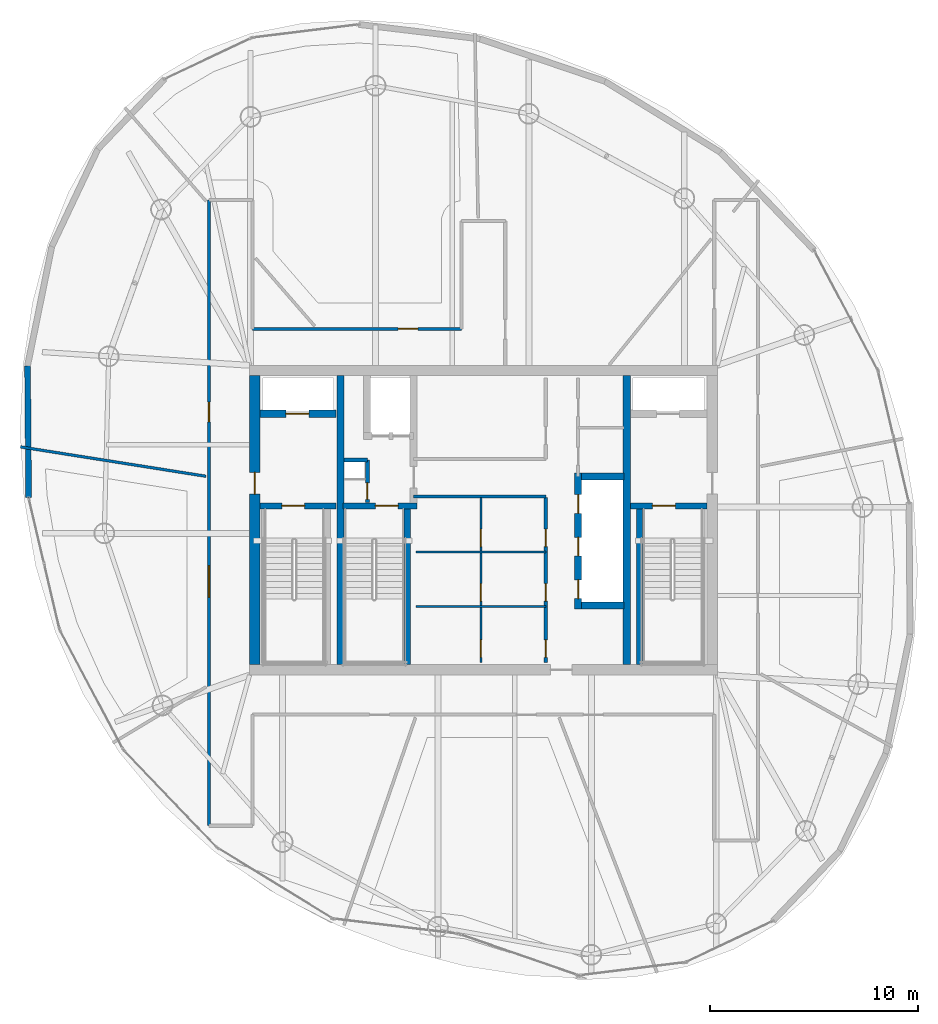
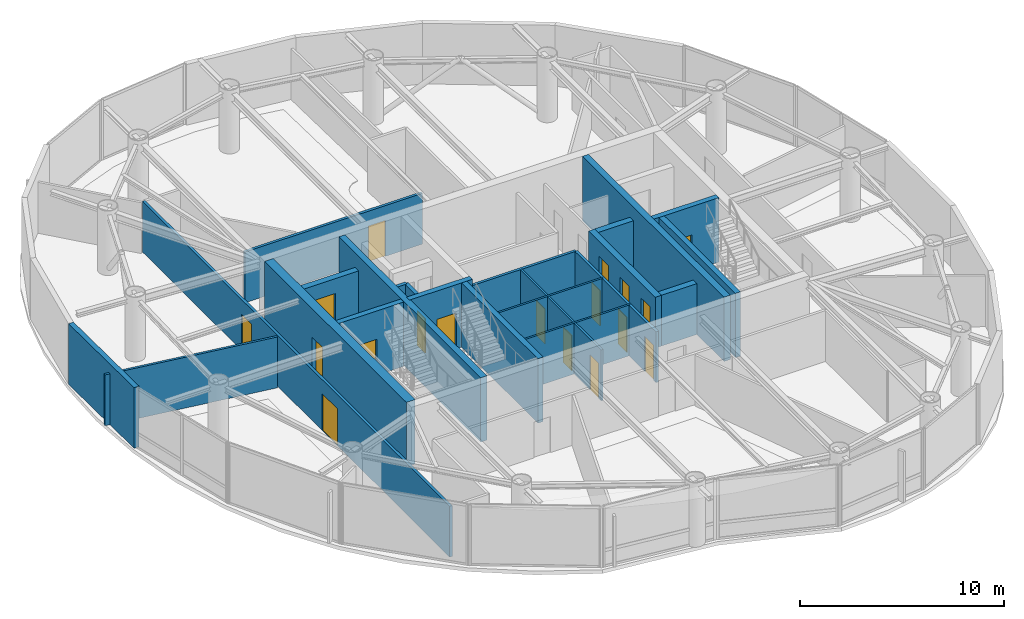
# One storey, part 16 of 21: 23 walls, 18 doors, 18 openings.
"""IFC4 building model written with IfcOpenShell, lengths in metres."""

from ifc_helpers import new_model, si_unit, direction, frame, frame_2d, origin, place, context, subcontext, project, spatial, rectangle, extrude, material, layer, layer_set, type_object, element, fill, save


model = new_model("IFC4")

# Units and contexts
model_context = context("Model", 3, precision=1e-05, world=origin(), true_north=direction((0.0, 1.0)))
body_context = subcontext(model_context, "Body", "Model", "MODEL_VIEW")
ifc_project = project(units=[si_unit("LENGTHUNIT", "METRE"), si_unit("AREAUNIT", "SQUARE_METRE"), si_unit("VOLUMEUNIT", "CUBIC_METRE"), si_unit("PLANEANGLEUNIT", "RADIAN"), si_unit("MASSUNIT", "GRAM", prefix="KILO")], contexts=[model_context])

# Site, building, storey
site_placement = place(None, origin())
site = spatial("IfcSite", under=ifc_project, at=site_placement, CompositionType="ELEMENT")
building_placement = place(site_placement, origin())
building = spatial("IfcBuilding", under=site, at=building_placement, Name="Bramvorn Convention Spire", CompositionType="ELEMENT")
storey_placement = place(building_placement, frame((0.0, 0.0, 249.75)))
storey = spatial("IfcBuildingStorey", under=building, at=storey_placement, Name="L63", CompositionType="ELEMENT", Elevation=249.75)

# Wall, opening, door
ifc_material_1 = material(Name="Concrete C50/60", Category="concrete")
ifc_layer_1 = layer(ifc_material_1, 0.5)
ifc_layer_set_1 = layer_set([ifc_layer_1], Name="Concrete C50/60 - WL-CORE-500")
wall_type_1 = type_object("IfcWallType", Name="WL-CORE-500", PredefinedType="SHEAR", material=ifc_layer_set_1)
wall_1_placement = place(storey_placement, frame((27.0, 19.050048828125, 0.0), z_axis=(0.0, 0.0, 1.0), x_axis=(0.0, 1.0, 0.0)))
wall_1 = element("IfcWall", 1, at=wall_1_placement, inside=storey, type_object=wall_type_1, Name="L63 West RC core shear wall", PredefinedType="SHEAR", context=body_context, shape_type="SweptSolid", body=[
    extrude(rectangle(XDim=13.89990234375, YDim=0.5, at=frame_2d((6.949951171875, 0.0))), origin(), (0.0, 0.0, 1.0), 3.85009765625),
])
opening_1_placement = place(wall_1_placement, frame((8.199951171875, 0.0, 0.0)))
opening_1 = element("IfcOpeningElement", 2, at=opening_1_placement, cuts=wall_1, Name="Opening DL-105", PredefinedType="OPENING", context=body_context, shape_type="SweptSolid", body=[
    extrude(rectangle(XDim=1.050048828125, YDim=2.14990234375, at=frame_2d((0.52490234375, 1.074951171875))), frame((0.0, 0.260009765625, 0.0), z_axis=(0.0, -1.0, 0.0), x_axis=(1.0, 0.0, 0.0)), (0.0, 0.0, 1.0), 0.52001953125),
])
ifc_material_2 = material(Name="Smoke-Sealed Fire Lobby Timber-Core Door", Category="wood")
door_type_1 = type_object("IfcDoorType", Name="DR-LOBBY-1050", OperationType="NOTDEFINED", PredefinedType="DOOR", material=ifc_material_2)
door_1_placement = place(opening_1_placement, origin())
door_1 = element("IfcDoor", 3, at=door_1_placement, inside=storey, type_object=door_type_1, Name="L63 West Firefighting Lobby corridor door", OperationType="SINGLE_SWING_RIGHT", OverallHeight=2.14990234375, OverallWidth=1.050048828125, PredefinedType="DOOR", context=body_context, shape_type="SweptSolid", body=[
    extrude(rectangle(XDim=1.050048828125, YDim=2.14990234375, at=frame_2d((0.52490234375, 1.074951171875))), frame((0.0, 0.02490234375, 0.0), z_axis=(0.0, -1.0, 0.0), x_axis=(1.0, 0.0, 0.0)), (0.0, 0.0, 1.0), 0.050048828125),
])
fill(opening_1, door_1)

# Walls
ifc_layer_2 = layer(ifc_material_1, 0.35009765625)
ifc_layer_set_2 = layer_set([ifc_layer_2], Name="Concrete C50/60 - WL-CORE-INT-350")
wall_type_2 = type_object("IfcWallType", Name="WL-CORE-INT-350", PredefinedType="SHEAR", material=ifc_layer_set_2)
for number, where, z_axis, x_axis, name in (
    (4, (31.1298828125, 19.050048828125, 0.0), (0.0, 0.0, 1.0), (0.0, 1.0, 0.0), "L63 West internal core shear web"),
    (5, (44.89990234375, 19.050048828125, 0.0), (0.0, 0.0, 1.0), (0.0, 1.0, 0.0), "L63 East internal core shear web"),
):
    element("IfcWall", number, at=place(storey_placement, frame(where, z_axis=z_axis, x_axis=x_axis)), inside=storey, type_object=wall_type_2, Name=name, PredefinedType="SHEAR", context=body_context, shape_type="SweptSolid", body=[
        extrude(rectangle(XDim=13.89990234375, YDim=0.35009765625, at=frame_2d((6.949951171875, 0.0))), origin(), (0.0, 0.0, 1.0), 3.85009765625),
    ])

# Wall, opening, door
wall_2_placement = place(storey_placement, frame((27.25, 31.1201171875, 0.0), z_axis=(0.0, 0.0, 1.0), x_axis=(1.0, 0.0, 0.0)))
wall_2 = element("IfcWall", 6, at=wall_2_placement, inside=storey, type_object=wall_type_2, Name="L63 FE1 shaft front wall", PredefinedType="SHEAR", context=body_context, shape_type="SweptSolid", body=[
    extrude(rectangle(XDim=3.669921875, YDim=0.35009765625, at=frame_2d((1.8349609375, 0.0))), origin(), (0.0, 0.0, 1.0), 3.0400390625),
])
opening_2_placement = place(wall_2_placement, frame((1.25, 0.0, 0.0)))
opening_2 = element("IfcOpeningElement", 7, at=opening_2_placement, cuts=wall_2, Name="Opening LD-110", PredefinedType="OPENING", context=body_context, shape_type="SweptSolid", body=[
    extrude(rectangle(XDim=1.10009765625, YDim=2.14990234375, at=frame_2d((0.550048828125, 1.074951171875))), frame((0.0, 0.18505859375, 0.0), z_axis=(0.0, -1.0, 0.0), x_axis=(1.0, 0.0, 0.0)), (0.0, 0.0, 1.0), 0.3701171875),
])
ifc_material_3 = material(Name="Firefighting & Service Lift Sliding Landing Door", Category="steel")
door_type_2 = type_object("IfcDoorType", Name="DR-LIFT-LD-1100", OperationType="NOTDEFINED", PredefinedType="DOOR", material=ifc_material_3)
door_2_placement = place(opening_2_placement, origin())
door_2 = element("IfcDoor", 8, at=door_2_placement, inside=storey, type_object=door_type_2, Name="L63 Lift FE1 Sliding Landing Door", OperationType="SLIDING_TO_LEFT", OverallHeight=2.14990234375, OverallWidth=1.10009765625, PredefinedType="DOOR", context=body_context, shape_type="SweptSolid", body=[
    extrude(rectangle(XDim=1.10009765625, YDim=2.14990234375, at=frame_2d((0.550048828125, 1.074951171875))), frame((0.0, 0.02490234375, 0.0), z_axis=(0.0, -1.0, 0.0), x_axis=(1.0, 0.0, 0.0)), (0.0, 0.0, 1.0), 0.050048828125),
])
fill(opening_2, door_2)

# Wall, openings, doors
wall_3_placement = place(storey_placement, frame((42.550048828125, 21.72998046875, 0.0), z_axis=(0.0, 0.0, 1.0), x_axis=(0.0, 1.0, 0.0)))
wall_3 = element("IfcWall", 9, at=wall_3_placement, inside=storey, type_object=wall_type_2, Name="L63 High-rise lift bank west wall", PredefinedType="SHEAR", context=body_context, shape_type="SweptSolid", body=[
    extrude(rectangle(XDim=6.5400390625, YDim=0.35009765625, at=frame_2d((3.27001953125, 0.0))), origin(), (0.0, 0.0, 1.0), 3.0400390625),
])
opening_3_placement = place(wall_3_placement, frame((0.5, 0.0, 0.0)))
opening_3 = element("IfcOpeningElement", 10, at=opening_3_placement, cuts=wall_3, Name="Opening LD-090", PredefinedType="OPENING", context=body_context, shape_type="SweptSolid", body=[
    extrude(rectangle(XDim=0.89990234375, YDim=2.14990234375, at=frame_2d((0.449951171875, 1.074951171875))), frame((0.0, 0.18505859375, 0.0), z_axis=(0.0, -1.0, 0.0), x_axis=(1.0, 0.0, 0.0)), (0.0, 0.0, 1.0), 0.3701171875),
])
opening_4_placement = place(wall_3_placement, frame((2.550048828125, 0.0, 0.0)))
opening_4 = element("IfcOpeningElement", 11, at=opening_4_placement, cuts=wall_3, Name="Opening LD-090", PredefinedType="OPENING", context=body_context, shape_type="SweptSolid", body=[
    extrude(rectangle(XDim=0.89990234375, YDim=2.14990234375, at=frame_2d((0.449951171875, 1.074951171875))), frame((0.0, 0.18505859375, 0.0), z_axis=(0.0, -1.0, 0.0), x_axis=(1.0, 0.0, 0.0)), (0.0, 0.0, 1.0), 0.3701171875),
])
opening_5_placement = place(wall_3_placement, frame((4.60009765625, 0.0, 0.0)))
opening_5 = element("IfcOpeningElement", 12, at=opening_5_placement, cuts=wall_3, Name="Opening LD-090", PredefinedType="OPENING", context=body_context, shape_type="SweptSolid", body=[
    extrude(rectangle(XDim=0.89990234375, YDim=2.14990234375, at=frame_2d((0.449951171875, 1.074951171875))), frame((0.0, 0.18505859375, 0.0), z_axis=(0.0, -1.0, 0.0), x_axis=(1.0, 0.0, 0.0)), (0.0, 0.0, 1.0), 0.3701171875),
])
ifc_material_4 = material(Name="Bi-Parting Fire-Rated Lift Landing Door", Category="steel")
door_type_3 = type_object("IfcDoorType", Name="DR-LIFT-LD-900", OperationType="NOTDEFINED", PredefinedType="DOOR", material=ifc_material_4)
door_3_placement = place(opening_3_placement, origin())
door_3 = element("IfcDoor", 13, at=door_3_placement, inside=storey, type_object=door_type_3, Name="L63 Lift PH1 Sliding Landing Door", OperationType="SLIDING_TO_LEFT", OverallHeight=2.14990234375, OverallWidth=0.89990234375, PredefinedType="DOOR", context=body_context, shape_type="SweptSolid", body=[
    extrude(rectangle(XDim=0.89990234375, YDim=2.14990234375, at=frame_2d((0.449951171875, 1.074951171875))), frame((0.0, 0.02490234375, 0.0), z_axis=(0.0, -1.0, 0.0), x_axis=(1.0, 0.0, 0.0)), (0.0, 0.0, 1.0), 0.050048828125),
])
fill(opening_3, door_3)
door_4_placement = place(opening_4_placement, origin())
door_4 = element("IfcDoor", 14, at=door_4_placement, inside=storey, type_object=door_type_3, Name="L63 Lift PH2 Sliding Landing Door", OperationType="SLIDING_TO_LEFT", OverallHeight=2.14990234375, OverallWidth=0.89990234375, PredefinedType="DOOR", context=body_context, shape_type="SweptSolid", body=[
    extrude(rectangle(XDim=0.89990234375, YDim=2.14990234375, at=frame_2d((0.449951171875, 1.074951171875))), frame((0.0, 0.02490234375, 0.0), z_axis=(0.0, -1.0, 0.0), x_axis=(1.0, 0.0, 0.0)), (0.0, 0.0, 1.0), 0.050048828125),
])
fill(opening_4, door_4)
door_5_placement = place(opening_5_placement, origin())
door_5 = element("IfcDoor", 15, at=door_5_placement, inside=storey, type_object=door_type_3, Name="L63 Lift PH3 Sliding Landing Door", OperationType="SLIDING_TO_LEFT", OverallHeight=2.14990234375, OverallWidth=0.89990234375, PredefinedType="DOOR", context=body_context, shape_type="SweptSolid", body=[
    extrude(rectangle(XDim=0.89990234375, YDim=2.14990234375, at=frame_2d((0.449951171875, 1.074951171875))), frame((0.0, 0.02490234375, 0.0), z_axis=(0.0, -1.0, 0.0), x_axis=(1.0, 0.0, 0.0)), (0.0, 0.0, 1.0), 0.050048828125),
])
fill(opening_5, door_5)

# Walls
for number, where, z_axis, x_axis, name in (
    (16, (42.719970703125, 21.89990234375, 0.0), (0.0, 0.0, 1.0), (1.0, 0.0, 0.0), "L63 High-rise lift bank south wall"),
    (17, (42.719970703125, 28.10009765625, 0.0), (0.0, 0.0, 1.0), (1.0, 0.0, 0.0), "L63 High-rise lift bank north wall"),
):
    element("IfcWall", number, at=place(storey_placement, frame(where, z_axis=z_axis, x_axis=x_axis)), inside=storey, type_object=wall_type_2, Name=name, PredefinedType="SHEAR", context=body_context, shape_type="SweptSolid", body=[
        extrude(rectangle(XDim=2.030029296875, YDim=0.35009765625, at=frame_2d((1.01513671875, 0.0))), origin(), (0.0, 0.0, 1.0), 3.0400390625),
    ])
ifc_material_5 = material(Name="Precast Concrete C40/50 with Bronze Terracotta Rainscreen", Category="masonry")
ifc_layer_3 = layer(ifc_material_5, 0.300048828125)
ifc_layer_set_3 = layer_set([ifc_layer_3], Name="Precast Concrete C40/50 with Bronze Terracotta Rainscreen - WL-EXT-BRONZE-300")
wall_type_3 = type_object("IfcWallType", Name="WL-EXT-BRONZE-300", PredefinedType="SOLIDWALL", material=ifc_layer_set_3)
wall_4_placement = place(storey_placement, frame((16.126220703125, 27.084716796875, 0.0), z_axis=(0.0, 0.0, 1.0), x_axis=(-0.008233973814, 0.999966100263, 0.0)))
element("IfcWall", 18, at=wall_4_placement, inside=storey, type_object=wall_type_3, Name="L63 expressed bronze Gothic lancet pier wall 16", PredefinedType="SOLIDWALL", context=body_context, shape_type="SweptSolid", body=[
    extrude(rectangle(XDim=6.34521484375, YDim=0.280029296875, at=frame_2d((3.172607421875, 0.0))), origin(), (0.0, 0.0, 1.0), 3.625),
])

# Wall, openings, doors
ifc_material_6 = material(Name="Lightweight En-Suite & Wet-Wall Partition", Category="gypsum")
ifc_layer_4 = layer(ifc_material_6, 0.110107421875)
ifc_layer_set_4 = layer_set([ifc_layer_4], Name="Lightweight En-Suite & Wet-Wall Partition - WL-PART-110")
wall_type_4 = type_object("IfcWallType", Name="WL-PART-110", PredefinedType="PARTITIONING", material=ifc_layer_set_4)
wall_5_placement = place(storey_placement, frame((37.8798828125, 19.14990234375, 0.0), z_axis=(0.0, 0.0, 1.0), x_axis=(0.0, 1.0, 0.0)))
wall_5 = element("IfcWall", 19, at=wall_5_placement, inside=storey, type_object=wall_type_4, Name="L63 KB center wall", PredefinedType="PARTITIONING", context=body_context, shape_type="SweptSolid", body=[
    extrude(rectangle(XDim=7.9501953125, YDim=0.110107421875, at=frame_2d((3.97509765625, 0.0))), origin(), (0.0, 0.0, 1.0), 3.0400390625),
])
opening_6_placement = place(wall_5_placement, frame((0.25, 0.0, 0.0)))
opening_6 = element("IfcOpeningElement", 20, at=opening_6_placement, cuts=wall_5, Name="Opening DC-085", PredefinedType="OPENING", context=body_context, shape_type="SweptSolid", body=[
    extrude(rectangle(XDim=0.85009765625, YDim=2.10009765625, at=frame_2d((0.425048828125, 1.050048828125))), frame((0.0, 0.06494140625, 0.0), z_axis=(0.0, -1.0, 0.0), x_axis=(1.0, 0.0, 0.0)), (0.0, 0.0, 1.0), 0.130126953125),
])
opening_7_placement = place(wall_5_placement, frame((2.952880859375, 0.0, 0.0)))
opening_7 = element("IfcOpeningElement", 21, at=opening_7_placement, cuts=wall_5, Name="Opening DC-085", PredefinedType="OPENING", context=body_context, shape_type="SweptSolid", body=[
    extrude(rectangle(XDim=0.85009765625, YDim=2.10009765625, at=frame_2d((0.425048828125, 1.050048828125))), frame((0.0, 0.06494140625, 0.0), z_axis=(0.0, -1.0, 0.0), x_axis=(1.0, 0.0, 0.0)), (0.0, 0.0, 1.0), 0.130126953125),
])
opening_8_placement = place(wall_5_placement, frame((5.576416015625, 0.0, 0.0)))
opening_8 = element("IfcOpeningElement", 22, at=opening_8_placement, cuts=wall_5, Name="Opening DC-085", PredefinedType="OPENING", context=body_context, shape_type="SweptSolid", body=[
    extrude(rectangle(XDim=0.85009765625, YDim=2.10009765625, at=frame_2d((0.425048828125, 1.050048828125))), frame((0.0, 0.06494140625, 0.0), z_axis=(0.0, -1.0, 0.0), x_axis=(1.0, 0.0, 0.0)), (0.0, 0.0, 1.0), 0.130126953125),
])
ifc_material_7 = material(Name="Fire-Rated Core Washroom & IDF Door", Category="wood")
door_type_4 = type_object("IfcDoorType", Name="DR-CORE-850", OperationType="NOTDEFINED", PredefinedType="DOOR", material=ifc_material_7)
door_6_placement = place(opening_6_placement, origin())
door_6 = element("IfcDoor", 23, at=door_6_placement, inside=storey, type_object=door_type_4, Name="L63 Core Linen Store door", OperationType="SINGLE_SWING_LEFT", OverallHeight=2.10009765625, OverallWidth=0.85009765625, PredefinedType="DOOR", context=body_context, shape_type="SweptSolid", body=[
    extrude(rectangle(XDim=0.85009765625, YDim=2.10009765625, at=frame_2d((0.425048828125, 1.050048828125))), frame((0.0, 0.02490234375, 0.0), z_axis=(0.0, -1.0, 0.0), x_axis=(1.0, 0.0, 0.0)), (0.0, 0.0, 1.0), 0.050048828125),
])
fill(opening_6, door_6)
door_7_placement = place(opening_7_placement, origin())
door_7 = element("IfcDoor", 24, at=door_7_placement, inside=storey, type_object=door_type_4, Name="L63 Core Metering Closet door", OperationType="SINGLE_SWING_LEFT", OverallHeight=2.10009765625, OverallWidth=0.85009765625, PredefinedType="DOOR", context=body_context, shape_type="SweptSolid", body=[
    extrude(rectangle(XDim=0.85009765625, YDim=2.10009765625, at=frame_2d((0.425048828125, 1.050048828125))), frame((0.0, 0.02490234375, 0.0), z_axis=(0.0, -1.0, 0.0), x_axis=(1.0, 0.0, 0.0)), (0.0, 0.0, 1.0), 0.050048828125),
])
fill(opening_7, door_7)
door_8_placement = place(opening_8_placement, origin())
door_8 = element("IfcDoor", 25, at=door_8_placement, inside=storey, type_object=door_type_4, Name="L63 Core Janitor Supply door", OperationType="SINGLE_SWING_LEFT", OverallHeight=2.10009765625, OverallWidth=0.85009765625, PredefinedType="DOOR", context=body_context, shape_type="SweptSolid", body=[
    extrude(rectangle(XDim=0.85009765625, YDim=2.10009765625, at=frame_2d((0.425048828125, 1.050048828125))), frame((0.0, 0.02490234375, 0.0), z_axis=(0.0, -1.0, 0.0), x_axis=(1.0, 0.0, 0.0)), (0.0, 0.0, 1.0), 0.050048828125),
])
fill(opening_8, door_8)

# Walls
for number, where, z_axis, x_axis, name in (
    (26, (34.75, 21.85302734375, 0.0), (0.0, 0.0, 1.0), (1.0, 0.0, 0.0), "L63 KB divider 1"),
    (27, (34.75, 24.4765625, 0.0), (0.0, 0.0, 1.0), (1.0, 0.0, 0.0), "L63 KB divider 2"),
):
    element("IfcWall", number, at=place(storey_placement, frame(where, z_axis=z_axis, x_axis=x_axis)), inside=storey, type_object=wall_type_4, Name=name, PredefinedType="PARTITIONING", context=body_context, shape_type="SweptSolid", body=[
        extrude(rectangle(XDim=6.25, YDim=0.110107421875, at=frame_2d((3.125, 0.0))), origin(), (0.0, 0.0, 1.0), 3.0400390625),
    ])
ifc_material_8 = material(Name="Metal-Stud Demountable Office Partition", Category="gypsum")
ifc_layer_5 = layer(ifc_material_8, 0.1298828125)
ifc_layer_set_5 = layer_set([ifc_layer_5], Name="Metal-Stud Demountable Office Partition - WL-PART-130")
wall_type_5 = type_object("IfcWallType", Name="WL-PART-130", PredefinedType="PARTITIONING", material=ifc_layer_set_5)
wall_6_placement = place(storey_placement, frame((24.659912109375, 28.11279296875, 0.0), z_axis=(0.0, 0.0, 1.0), x_axis=(-0.987685158581, 0.156454554167, 0.0)))
element("IfcWall", 28, at=wall_6_placement, inside=storey, type_object=wall_type_5, Name="L63 Tenant suite partition 5", PredefinedType="PARTITIONING", context=body_context, shape_type="SweptSolid", body=[
    extrude(rectangle(XDim=9.0458984375, YDim=0.1298828125, at=frame_2d((4.52294921875, 0.0))), origin(), (0.0, 0.0, 1.0), 3.0400390625),
])
ifc_material_9 = material(Name="Acoustic Metal-Stud Tenant/Corridor Partition", Category="gypsum")
ifc_layer_6 = layer(ifc_material_9, 0.14990234375)
ifc_layer_set_6 = layer_set([ifc_layer_6], Name="Acoustic Metal-Stud Tenant/Corridor Partition - WL-PART-150")
wall_type_6 = type_object("IfcWallType", Name="WL-PART-150", PredefinedType="PARTITIONING", material=ifc_layer_set_6)
wall_7_placement = place(storey_placement, frame((34.639892578125, 27.14990234375, 0.0), z_axis=(0.0, 0.0, 1.0), x_axis=(1.0, 0.0, 0.0)))
element("IfcWall", 29, at=wall_7_placement, inside=storey, type_object=wall_type_6, Name="L63 Cross-core passage south wall", PredefinedType="PARTITIONING", context=body_context, shape_type="SweptSolid", body=[
    extrude(rectangle(XDim=6.360107421875, YDim=0.14990234375, at=frame_2d((3.18017578125, 0.0))), origin(), (0.0, 0.0, 1.0), 3.0400390625),
])

# Wall, openings, doors
wall_8_placement = place(storey_placement, frame((41.0, 19.14990234375, 0.0), z_axis=(0.0, 0.0, 1.0), x_axis=(0.0, 1.0, 0.0)))
wall_8 = element("IfcWall", 30, at=wall_8_placement, inside=storey, type_object=wall_type_6, Name="L63 KB east core wall", PredefinedType="PARTITIONING", context=body_context, shape_type="SweptSolid", body=[
    extrude(rectangle(XDim=7.9501953125, YDim=0.14990234375, at=frame_2d((3.97509765625, 0.0))), origin(), (0.0, 0.0, 1.0), 3.0400390625),
])
opening_9_placement = place(wall_8_placement, frame((0.25, 0.0, 0.0)))
opening_9 = element("IfcOpeningElement", 31, at=opening_9_placement, cuts=wall_8, Name="Opening DC-085", PredefinedType="OPENING", context=body_context, shape_type="SweptSolid", body=[
    extrude(rectangle(XDim=0.85009765625, YDim=2.10009765625, at=frame_2d((0.425048828125, 1.050048828125))), frame((0.0, 0.0849609375, 0.0), z_axis=(0.0, -1.0, 0.0), x_axis=(1.0, 0.0, 0.0)), (0.0, 0.0, 1.0), 0.169921875),
])
opening_10_placement = place(wall_8_placement, frame((2.952880859375, 0.0, 0.0)))
opening_10 = element("IfcOpeningElement", 32, at=opening_10_placement, cuts=wall_8, Name="Opening DC-085", PredefinedType="OPENING", context=body_context, shape_type="SweptSolid", body=[
    extrude(rectangle(XDim=0.85009765625, YDim=2.10009765625, at=frame_2d((0.425048828125, 1.050048828125))), frame((0.0, 0.0849609375, 0.0), z_axis=(0.0, -1.0, 0.0), x_axis=(1.0, 0.0, 0.0)), (0.0, 0.0, 1.0), 0.169921875),
])
opening_11_placement = place(wall_8_placement, frame((5.576416015625, 0.0, 0.0)))
opening_11 = element("IfcOpeningElement", 33, at=opening_11_placement, cuts=wall_8, Name="Opening DC-085", PredefinedType="OPENING", context=body_context, shape_type="SweptSolid", body=[
    extrude(rectangle(XDim=0.85009765625, YDim=2.10009765625, at=frame_2d((0.425048828125, 1.050048828125))), frame((0.0, 0.0849609375, 0.0), z_axis=(0.0, -1.0, 0.0), x_axis=(1.0, 0.0, 0.0)), (0.0, 0.0, 1.0), 0.169921875),
])
door_9_placement = place(opening_9_placement, origin())
door_9 = element("IfcDoor", 34, at=door_9_placement, inside=storey, type_object=door_type_4, Name="L63 Accessible Core Restroom door", OperationType="SINGLE_SWING_LEFT", OverallHeight=2.10009765625, OverallWidth=0.85009765625, PredefinedType="DOOR", context=body_context, shape_type="SweptSolid", body=[
    extrude(rectangle(XDim=0.85009765625, YDim=2.10009765625, at=frame_2d((0.425048828125, 1.050048828125))), frame((0.0, 0.02490234375, 0.0), z_axis=(0.0, -1.0, 0.0), x_axis=(1.0, 0.0, 0.0)), (0.0, 0.0, 1.0), 0.050048828125),
])
fill(opening_9, door_9)
door_10_placement = place(opening_10_placement, origin())
door_10 = element("IfcDoor", 35, at=door_10_placement, inside=storey, type_object=door_type_4, Name="L63 Tenant Pantry & Copy Centre door", OperationType="SINGLE_SWING_LEFT", OverallHeight=2.10009765625, OverallWidth=0.85009765625, PredefinedType="DOOR", context=body_context, shape_type="SweptSolid", body=[
    extrude(rectangle(XDim=0.85009765625, YDim=2.10009765625, at=frame_2d((0.425048828125, 1.050048828125))), frame((0.0, 0.02490234375, 0.0), z_axis=(0.0, -1.0, 0.0), x_axis=(1.0, 0.0, 0.0)), (0.0, 0.0, 1.0), 0.050048828125),
])
fill(opening_10, door_10)
door_11_placement = place(opening_11_placement, origin())
door_11 = element("IfcDoor", 36, at=door_11_placement, inside=storey, type_object=door_type_4, Name="L63 Gender-Neutral Core WC door", OperationType="SINGLE_SWING_LEFT", OverallHeight=2.10009765625, OverallWidth=0.85009765625, PredefinedType="DOOR", context=body_context, shape_type="SweptSolid", body=[
    extrude(rectangle(XDim=0.85009765625, YDim=2.10009765625, at=frame_2d((0.425048828125, 1.050048828125))), frame((0.0, 0.02490234375, 0.0), z_axis=(0.0, -1.0, 0.0), x_axis=(1.0, 0.0, 0.0)), (0.0, 0.0, 1.0), 0.050048828125),
])
fill(opening_11, door_11)

# Wall, opening, door
wall_9_placement = place(storey_placement, frame((26.89990234375, 35.199951171875, 0.0), z_axis=(0.0, 0.0, 1.0), x_axis=(1.0, 0.0, 0.0)))
wall_9 = element("IfcWall", 37, at=wall_9_placement, inside=storey, type_object=wall_type_6, Name="L63 North-west spur link wall", PredefinedType="PARTITIONING", context=body_context, shape_type="SweptSolid", body=[
    extrude(rectangle(XDim=10.050048828125, YDim=0.14990234375, at=frame_2d((5.02490234375, 0.0))), origin(), (0.0, 0.0, 1.0), 3.0400390625),
])
opening_12_placement = place(wall_9_placement, frame((6.9951171875, 0.0, 0.0)))
opening_12 = element("IfcOpeningElement", 38, at=opening_12_placement, cuts=wall_9, Name="Opening DH-095", PredefinedType="OPENING", context=body_context, shape_type="SweptSolid", body=[
    extrude(rectangle(XDim=0.949951171875, YDim=2.14990234375, at=frame_2d((0.47509765625, 1.074951171875))), frame((0.0, 0.0849609375, 0.0), z_axis=(0.0, -1.0, 0.0), x_axis=(1.0, 0.0, 0.0)), (0.0, 0.0, 1.0), 0.169921875),
])
ifc_material_10 = material(Name="Solid-Core Acoustic Guestroom Entry Door", Category="wood")
door_type_5 = type_object("IfcDoorType", Name="DR-HOTEL-950", OperationType="NOTDEFINED", PredefinedType="DOOR", material=ifc_material_10)
door_12_placement = place(opening_12_placement, origin())
door_12 = element("IfcDoor", 39, at=door_12_placement, inside=storey, type_object=door_type_5, Name="L63 Conference Meeting Room 4 4 door", OperationType="SINGLE_SWING_LEFT", OverallHeight=2.14990234375, OverallWidth=0.949951171875, PredefinedType="DOOR", context=body_context, shape_type="SweptSolid", body=[
    extrude(rectangle(XDim=0.949951171875, YDim=2.14990234375, at=frame_2d((0.47509765625, 1.074951171875))), frame((0.0, 0.02490234375, 0.0), z_axis=(0.0, -1.0, 0.0), x_axis=(1.0, 0.0, 0.0)), (0.0, 0.0, 1.0), 0.050048828125),
])
fill(opening_12, door_12)

# Wall, openings, doors
wall_10_placement = place(storey_placement, frame((24.800048828125, 11.30615234375, 0.0), z_axis=(0.0, 0.0, 1.0), x_axis=(0.0, 1.0, 0.0)))
wall_10 = element("IfcWall", 40, at=wall_10_placement, inside=storey, type_object=wall_type_6, Name="L63 West N-S gallery outer wall", PredefinedType="PARTITIONING", context=body_context, shape_type="SweptSolid", body=[
    extrude(rectangle(XDim=30.09375, YDim=0.14990234375, at=frame_2d((15.046875, 0.0))), origin(), (0.0, 0.0, 1.0), 3.0400390625),
])
opening_13_placement = place(wall_10_placement, frame((19.4287109375, 0.0, 0.0)))
opening_13 = element("IfcOpeningElement", 41, at=opening_13_placement, cuts=wall_10, Name="Opening DH-095", PredefinedType="OPENING", context=body_context, shape_type="SweptSolid", body=[
    extrude(rectangle(XDim=0.949951171875, YDim=2.14990234375, at=frame_2d((0.47509765625, 1.074951171875))), frame((0.0, 0.0849609375, 0.0), z_axis=(0.0, -1.0, 0.0), x_axis=(1.0, 0.0, 0.0)), (0.0, 0.0, 1.0), 0.169921875),
])
opening_14_placement = place(wall_10_placement, frame((10.994384765625, 0.0, 0.0)))
opening_14 = element("IfcOpeningElement", 42, at=opening_14_placement, cuts=wall_10, Name="Opening DC-150", PredefinedType="OPENING", context=body_context, shape_type="SweptSolid", body=[
    extrude(rectangle(XDim=1.5, YDim=2.199951171875, at=frame_2d((0.75, 1.10009765625))), frame((0.0, 0.0849609375, 0.0), z_axis=(0.0, -1.0, 0.0), x_axis=(1.0, 0.0, 0.0)), (0.0, 0.0, 1.0), 0.169921875),
])
ifc_material_11 = material(Name="Double-Leaf Smoke-Control Corridor Door", Category="wood")
door_type_6 = type_object("IfcDoorType", Name="DR-COR-1500", OperationType="NOTDEFINED", PredefinedType="DOOR", material=ifc_material_11)
door_13_placement = place(opening_14_placement, origin())
door_13 = element("IfcDoor", 43, at=door_13_placement, inside=storey, type_object=door_type_6, Name="L63 Open-Plan Team Office 6 door", OperationType="DOUBLE_DOOR_SINGLE_SWING", OverallHeight=2.199951171875, OverallWidth=1.5, PredefinedType="DOOR", context=body_context, shape_type="SweptSolid", body=[
    extrude(rectangle(XDim=1.5, YDim=2.199951171875, at=frame_2d((0.75, 1.10009765625))), frame((0.0, 0.02490234375, 0.0), z_axis=(0.0, -1.0, 0.0), x_axis=(1.0, 0.0, 0.0)), (0.0, 0.0, 1.0), 0.050048828125),
])
fill(opening_14, door_13)
door_14_placement = place(opening_13_placement, origin())
door_14 = element("IfcDoor", 44, at=door_14_placement, inside=storey, type_object=door_type_5, Name="L63 Conference Meeting Room 5 5 door", OperationType="SINGLE_SWING_LEFT", OverallHeight=2.14990234375, OverallWidth=0.949951171875, PredefinedType="DOOR", context=body_context, shape_type="SweptSolid", body=[
    extrude(rectangle(XDim=0.949951171875, YDim=2.14990234375, at=frame_2d((0.47509765625, 1.074951171875))), frame((0.0, 0.02490234375, 0.0), z_axis=(0.0, -1.0, 0.0), x_axis=(1.0, 0.0, 0.0)), (0.0, 0.0, 1.0), 0.050048828125),
])
fill(opening_13, door_14)

# Wall, opening, door
ifc_material_12 = material(Name="Gypsum Shaftwall & Rockwool Core Partition", Category="gypsum")
ifc_layer_7 = layer(ifc_material_12, 0.199951171875)
ifc_layer_set_7 = layer_set([ifc_layer_7], Name="Gypsum Shaftwall & Rockwool Core Partition - WL-PART-200-FR")
wall_type_7 = type_object("IfcWallType", Name="WL-PART-200-FR", PredefinedType="PARTITIONING", material=ifc_layer_set_7)
wall_11_placement = place(storey_placement, frame((32.419921875, 26.860107421875, 0.0), z_axis=(0.0, 0.0, 1.0), x_axis=(0.0, 1.0, 0.0)))
wall_11 = element("IfcWall", 45, at=wall_11_placement, inside=storey, type_object=wall_type_7, Name="L63 Telecom riser east wall", PredefinedType="PARTITIONING", context=body_context, shape_type="SweptSolid", body=[
    extrude(rectangle(XDim=2.039794921875, YDim=0.199951171875, at=frame_2d((1.02001953125, 0.0))), origin(), (0.0, 0.0, 1.0), 3.0400390625),
])
opening_15_placement = place(wall_11_placement, frame((0.139892578125, 0.0, 0.0)))
opening_15 = element("IfcOpeningElement", 46, at=opening_15_placement, cuts=wall_11, Name="Opening DR-080", PredefinedType="OPENING", context=body_context, shape_type="SweptSolid", body=[
    extrude(rectangle(XDim=0.800048828125, YDim=2.050048828125, at=frame_2d((0.39990234375, 1.02490234375))), frame((0.0, 0.10986328125, 0.0), z_axis=(0.0, -1.0, 0.0), x_axis=(1.0, 0.0, 0.0)), (0.0, 0.0, 1.0), 0.219970703125),
])
ifc_material_13 = material(Name="Flush Steel Riser Access Door", Category="steel")
door_type_7 = type_object("IfcDoorType", Name="DR-RISER-800", OperationType="NOTDEFINED", PredefinedType="DOOR", material=ifc_material_13)
door_15_placement = place(opening_15_placement, origin())
door_15 = element("IfcDoor", 47, at=door_15_placement, inside=storey, type_object=door_type_7, Name="L63 Telecom riser access door", OperationType="SINGLE_SWING_RIGHT", OverallHeight=2.050048828125, OverallWidth=0.800048828125, PredefinedType="DOOR", context=body_context, shape_type="SweptSolid", body=[
    extrude(rectangle(XDim=0.800048828125, YDim=2.050048828125, at=frame_2d((0.39990234375, 1.02490234375))), frame((0.0, 0.02490234375, 0.0), z_axis=(0.0, -1.0, 0.0), x_axis=(1.0, 0.0, 0.0)), (0.0, 0.0, 1.0), 0.050048828125),
])
fill(opening_15, door_15)

# Wall
wall_12_placement = place(storey_placement, frame((31.300048828125, 28.89990234375, 0.0), z_axis=(0.0, 0.0, 1.0), x_axis=(1.0, 0.0, 0.0)))
element("IfcWall", 48, at=wall_12_placement, inside=storey, type_object=wall_type_7, Name="L63 Telecom riser north wall", PredefinedType="PARTITIONING", context=body_context, shape_type="SweptSolid", body=[
    extrude(rectangle(XDim=1.119873046875, YDim=0.199951171875, at=frame_2d((0.56005859375, 0.0))), origin(), (0.0, 0.0, 1.0), 3.0400390625),
])

# Wall, opening, door
ifc_layer_8 = layer(ifc_material_1, 0.300048828125)
ifc_layer_set_8 = layer_set([ifc_layer_8], Name="Concrete C50/60 - WL-POD-STAIR-300")
wall_type_8 = type_object("IfcWallType", Name="WL-POD-STAIR-300", PredefinedType="SHEAR", material=ifc_layer_set_8)
wall_13_placement = place(storey_placement, frame((27.25, 26.68994140625, 0.0), z_axis=(0.0, 0.0, 1.0), x_axis=(1.0, 0.0, 0.0)))
wall_13 = element("IfcWall", 49, at=wall_13_placement, inside=storey, type_object=wall_type_8, Name="L63 ST1 north fire wall", PredefinedType="SHEAR", context=body_context, shape_type="SweptSolid", body=[
    extrude(rectangle(XDim=3.669921875, YDim=0.300048828125, at=frame_2d((1.8349609375, 0.0))), origin(), (0.0, 0.0, 1.0), 3.85009765625),
])
opening_16_placement = place(wall_13_placement, frame((1.050048828125, 0.0, 0.0)))
opening_16 = element("IfcOpeningElement", 50, at=opening_16_placement, cuts=wall_13, Name="Opening DS-110", PredefinedType="OPENING", context=body_context, shape_type="SweptSolid", body=[
    extrude(rectangle(XDim=1.10009765625, YDim=2.14990234375, at=frame_2d((0.550048828125, 1.074951171875))), frame((0.0, 0.159912109375, 0.0), z_axis=(0.0, -1.0, 0.0), x_axis=(1.0, 0.0, 0.0)), (0.0, 0.0, 1.0), 0.320068359375),
])
ifc_material_14 = material(Name="Fire-Rated Hollow Steel Stairwell Door", Category="steel")
door_type_8 = type_object("IfcDoorType", Name="DR-STAIR-1100", OperationType="NOTDEFINED", PredefinedType="DOOR", material=ifc_material_14)
door_16_placement = place(opening_16_placement, origin())
door_16 = element("IfcDoor", 51, at=door_16_placement, inside=storey, type_object=door_type_8, Name="L63 Stair ST1 fire door", OperationType="SINGLE_SWING_LEFT", OverallHeight=2.14990234375, OverallWidth=1.10009765625, PredefinedType="DOOR", context=body_context, shape_type="SweptSolid", body=[
    extrude(rectangle(XDim=1.10009765625, YDim=2.14990234375, at=frame_2d((0.550048828125, 1.074951171875))), frame((0.0, 0.02490234375, 0.0), z_axis=(0.0, -1.0, 0.0), x_axis=(1.0, 0.0, 0.0)), (0.0, 0.0, 1.0), 0.050048828125),
])
fill(opening_16, door_16)

wall_14_placement = place(storey_placement, frame((45.080078125, 26.68994140625, 0.0), z_axis=(0.0, 0.0, 1.0), x_axis=(1.0, 0.0, 0.0)))
wall_14 = element("IfcWall", 52, at=wall_14_placement, inside=storey, type_object=wall_type_8, Name="L63 ST2 north fire wall", PredefinedType="SHEAR", context=body_context, shape_type="SweptSolid", body=[
    extrude(rectangle(XDim=3.669921875, YDim=0.300048828125, at=frame_2d((1.8349609375, 0.0))), origin(), (0.0, 0.0, 1.0), 3.85009765625),
])
opening_17_placement = place(wall_14_placement, frame((1.050048828125, 0.0, 0.0)))
opening_17 = element("IfcOpeningElement", 53, at=opening_17_placement, cuts=wall_14, Name="Opening DS-110", PredefinedType="OPENING", context=body_context, shape_type="SweptSolid", body=[
    extrude(rectangle(XDim=1.10009765625, YDim=2.14990234375, at=frame_2d((0.550048828125, 1.074951171875))), frame((0.0, 0.159912109375, 0.0), z_axis=(0.0, -1.0, 0.0), x_axis=(1.0, 0.0, 0.0)), (0.0, 0.0, 1.0), 0.320068359375),
])
door_17_placement = place(opening_17_placement, origin())
door_17 = element("IfcDoor", 54, at=door_17_placement, inside=storey, type_object=door_type_8, Name="L63 Stair ST2 fire door", OperationType="SINGLE_SWING_RIGHT", OverallHeight=2.14990234375, OverallWidth=1.10009765625, PredefinedType="DOOR", context=body_context, shape_type="SweptSolid", body=[
    extrude(rectangle(XDim=1.10009765625, YDim=2.14990234375, at=frame_2d((0.550048828125, 1.074951171875))), frame((0.0, 0.02490234375, 0.0), z_axis=(0.0, -1.0, 0.0), x_axis=(1.0, 0.0, 0.0)), (0.0, 0.0, 1.0), 0.050048828125),
])
fill(opening_17, door_17)

# Walls
for number, where, z_axis, x_axis, name in (
    (55, (45.510009765625, 19.050048828125, 0.0), (0.0, 0.0, 1.0), (0.0, 1.0, 0.0), "L63 ST2 west bearing wall"),
    (56, (34.340087890625, 19.050048828125, 0.0), (0.0, 0.0, 1.0), (0.0, 1.0, 0.0), "L63 ST3 east bearing wall"),
):
    element("IfcWall", number, at=place(storey_placement, frame(where, z_axis=z_axis, x_axis=x_axis)), inside=storey, type_object=wall_type_8, Name=name, PredefinedType="SHEAR", context=body_context, shape_type="SweptSolid", body=[
        extrude(rectangle(XDim=7.5, YDim=0.300048828125, at=frame_2d((3.75, 0.0))), origin(), (0.0, 0.0, 1.0), 3.85009765625),
    ])

# Wall, opening, door
wall_15_placement = place(storey_placement, frame((31.25, 26.68994140625, 0.0), z_axis=(0.0, 0.0, 1.0), x_axis=(1.0, 0.0, 0.0)))
wall_15 = element("IfcWall", 57, at=wall_15_placement, inside=storey, type_object=wall_type_8, Name="L63 ST3 north lobby wall", PredefinedType="SHEAR", context=body_context, shape_type="SweptSolid", body=[
    extrude(rectangle(XDim=3.56005859375, YDim=0.300048828125, at=frame_2d((1.780029296875, 0.0))), origin(), (0.0, 0.0, 1.0), 3.85009765625),
])
opening_18_placement = place(wall_15_placement, frame((1.550048828125, 0.0, 0.0)))
opening_18 = element("IfcOpeningElement", 58, at=opening_18_placement, cuts=wall_15, Name="Opening DS-110", PredefinedType="OPENING", context=body_context, shape_type="SweptSolid", body=[
    extrude(rectangle(XDim=1.10009765625, YDim=2.14990234375, at=frame_2d((0.550048828125, 1.074951171875))), frame((0.0, 0.159912109375, 0.0), z_axis=(0.0, -1.0, 0.0), x_axis=(1.0, 0.0, 0.0)), (0.0, 0.0, 1.0), 0.320068359375),
])
door_18_placement = place(opening_18_placement, origin())
door_18 = element("IfcDoor", 59, at=door_18_placement, inside=storey, type_object=door_type_8, Name="L63 Stair ST3 fire door", OperationType="SINGLE_SWING_LEFT", OverallHeight=2.14990234375, OverallWidth=1.10009765625, PredefinedType="DOOR", context=body_context, shape_type="SweptSolid", body=[
    extrude(rectangle(XDim=1.10009765625, YDim=2.14990234375, at=frame_2d((0.550048828125, 1.074951171875))), frame((0.0, 0.02490234375, 0.0), z_axis=(0.0, -1.0, 0.0), x_axis=(1.0, 0.0, 0.0)), (0.0, 0.0, 1.0), 0.050048828125),
])
fill(opening_18, door_18)

save(model, "model.ifc")
